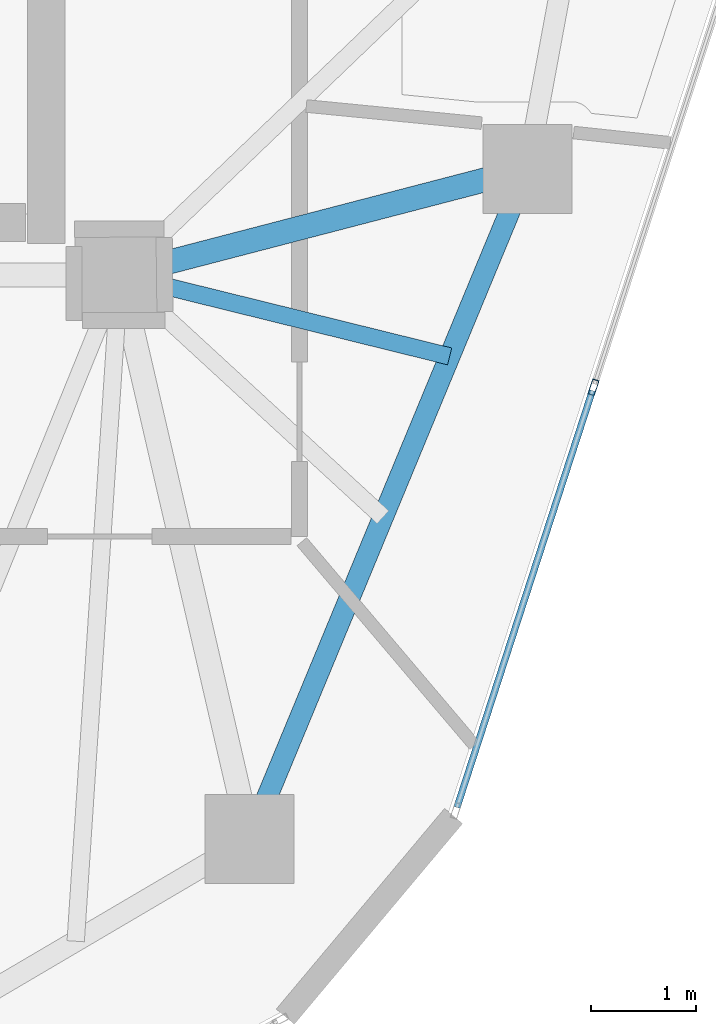
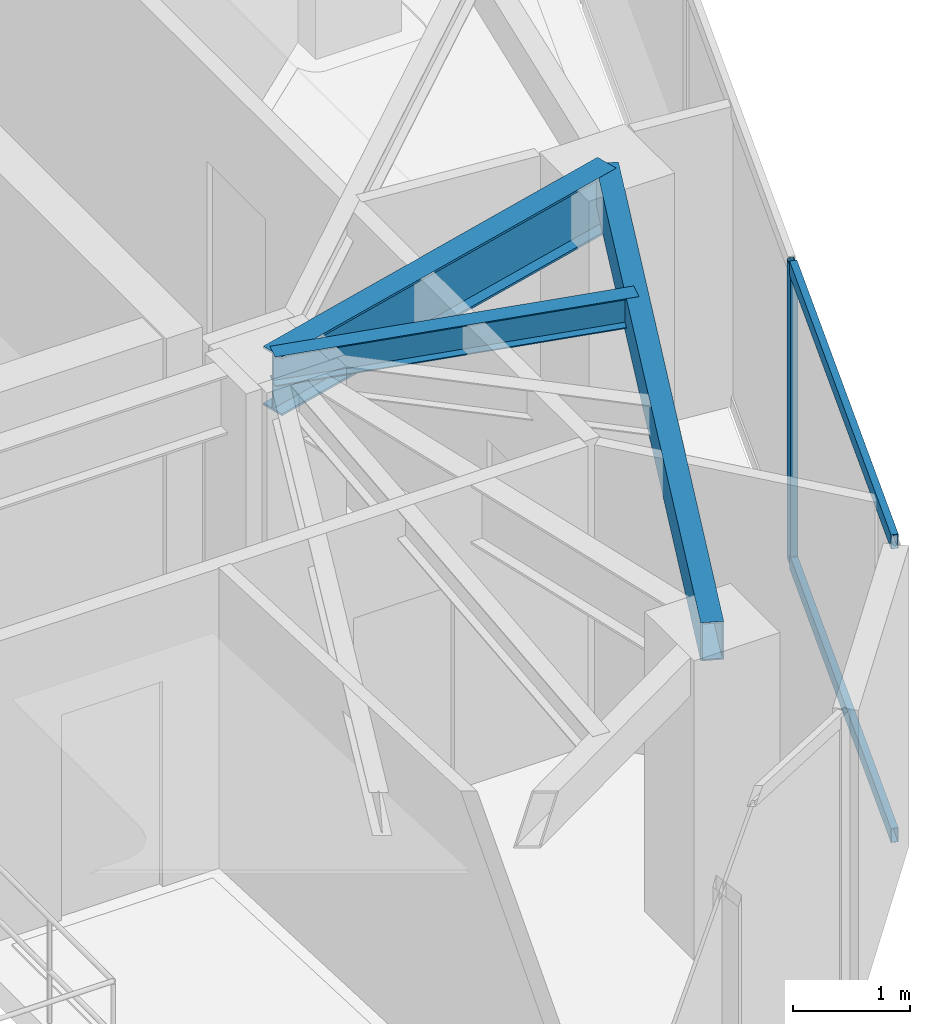
# One storey, part 7 of 20: 3 beams, 3 members, 1 element without a shape of its own.
"""IFC4 building model written with IfcOpenShell, lengths in metres."""

from ifc_helpers import new_model, si_unit, direction, frame, origin, origin_2d, place, context, subcontext, project, spatial, hollow_rectangle, i_section, extrude, source, transform, mapped, material, layer, layer_set, material_profile, profile_set, type_object, type_shapes, element, aggregate, save


model = new_model("IFC4")

# Units and contexts
model_context = context("Model", 3, precision=1e-05, world=origin(), true_north=direction((0.0, 1.0)))
body_context = subcontext(model_context, "Body", "Model", "MODEL_VIEW")
ifc_project = project(units=[si_unit("LENGTHUNIT", "METRE"), si_unit("AREAUNIT", "SQUARE_METRE"), si_unit("VOLUMEUNIT", "CUBIC_METRE"), si_unit("PLANEANGLEUNIT", "RADIAN"), si_unit("MASSUNIT", "GRAM", prefix="KILO")], contexts=[model_context])

# Site, building, storey
site_placement = place(None, origin())
site = spatial("IfcSite", under=ifc_project, at=site_placement, CompositionType="ELEMENT")
building_placement = place(site_placement, origin())
building = spatial("IfcBuilding", under=site, at=building_placement, Name="Talar Marvaseh", CompositionType="ELEMENT")
storey_placement = place(building_placement, frame((0.0, 0.0, 261.199951171875)))
storey = spatial("IfcBuildingStorey", under=building, at=storey_placement, Name="L69", CompositionType="ELEMENT", Elevation=261.199951171875)

# Beams
ifc_material_1 = material(Name="Steel S355", Category="steel")
ifc_material_profile_1 = material_profile(ifc_material_1, hollow_rectangle(XDim=0.199951171875, YDim=0.39990234375, WallThickness=0.013916015625, at=origin_2d()), Name="RHS400x200x14")
ifc_profile_set_1 = profile_set([ifc_material_profile_1], Name="Steel S355")
beam_type_1 = type_object("IfcBeamType", Name="Zone 3 Perimeter Spandrel Beam RHS400x200x14", PredefinedType="SPANDREL", material=ifc_profile_set_1)
beam_1_placement = place(storey_placement, frame((37.197021484375, 26.513916015625, 2.93994140625), z_axis=(-0.382798740112, -0.923831762048, 0.0), x_axis=(0.923831762048, -0.382798740112, 0.0)))
element("IfcBeam", 1, at=beam_1_placement, inside=storey, type_object=beam_type_1, Name="L69 Zone 3 Perimeter Spandrel Beam RHS400x200x14", PredefinedType="SPANDREL", context=body_context, shape_type="SweptSolid", body=[
    extrude(hollow_rectangle(XDim=0.199951171875, YDim=0.39990234375, WallThickness=0.013916015625, at=origin_2d()), origin(), (0.0, 0.0, 1.0), 6.9306640625),
])
ifc_material_profile_2 = material_profile(ifc_material_1, i_section(OverallWidth=0.166015625, OverallDepth=0.31298828125, WebThickness=0.006591796875, FlangeThickness=0.01123046875, at=origin_2d()), Name="W310x45")
ifc_profile_set_2 = profile_set([ifc_material_profile_2], Name="Steel S355")
beam_type_2 = type_object("IfcBeamType", Name="Zone 3 Secondary Floor Joist W310x45", PredefinedType="JOIST", material=ifc_profile_set_2)
beam_2_placement = place(storey_placement, frame((36.4541015625, 24.72119140625, 2.983642578125), z_axis=(-0.970841284349, 0.239723174942, 0.0), x_axis=(-0.239723174942, -0.970841284349, 0.0)))
element("IfcBeam", 2, at=beam_2_placement, inside=storey, type_object=beam_type_2, Name="L69 Zone 3 Secondary Floor Joist W310x45", PredefinedType="JOIST", context=body_context, shape_type="SweptSolid", body=[
    extrude(i_section(OverallWidth=0.166015625, OverallDepth=0.31298828125, WebThickness=0.006591796875, FlangeThickness=0.01123046875, at=origin_2d()), origin(), (0.0, 0.0, 1.0), 3.248779296875),
])
ifc_material_profile_3 = material_profile(ifc_material_1, i_section(OverallWidth=0.22998046875, OverallDepth=0.616943359375, WebThickness=0.01318359375, FlangeThickness=0.022216796875, at=origin_2d()), Name="W610x140")
ifc_profile_set_3 = profile_set([ifc_material_profile_3], Name="Steel S355")
beam_type_3 = type_object("IfcBeamType", Name="Zone 4 Radial Floor Girder W610x140", PredefinedType="BEAM", material=ifc_profile_set_3)
beam_3_placement = place(storey_placement, frame((37.197021484375, 26.513916015625, 2.83154296875), z_axis=(-0.967779967746, -0.251797406719, 0.0), x_axis=(0.251797406719, -0.967779967746, 0.0)))
element("IfcBeam", 3, at=beam_3_placement, inside=storey, type_object=beam_type_3, Name="L69 Zone 4 Radial Floor Girder W610x140", PredefinedType="BEAM", context=body_context, shape_type="SweptSolid", body=[
    extrude(i_section(OverallWidth=0.22998046875, OverallDepth=0.616943359375, WebThickness=0.01318359375, FlangeThickness=0.022216796875, at=origin_2d()), origin(), (0.0, 0.0, 1.0), 4.026611328125),
])

# Curtain wall, members
ifc_material_2 = material(Name="Architectural Aluminium", Category="aluminium")
ifc_layer = layer(ifc_material_2, 0.179931640625)
ifc_layer_set = layer_set([ifc_layer], Name="Architectural Aluminium")
curtain_wall_type = type_object("IfcCurtainWallType", Name="Unitised High-Wind Sky Curtain Wall Z4", PredefinedType="NOTDEFINED", material=ifc_layer_set)
curtain_wall_placement = place(storey_placement, origin())
curtain_wall = element("IfcCurtainWall", 4, at=curtain_wall_placement, inside=storey, type_object=curtain_wall_type, Name="L69 Unitised High-Wind Sky Curtain Wall Z4", PredefinedType="NOTDEFINED")
ifc_material_profile_4 = material_profile(ifc_material_2, hollow_rectangle(XDim=0.06494140625, YDim=0.14990234375, WallThickness=0.00390625, at=origin_2d()), Name="RHS150x65x4")
ifc_profile_set_4 = profile_set([ifc_material_profile_4], Name="Architectural Aluminium")
member_type_1 = type_object("IfcMemberType", Name="Unitised Curtain Wall Slim Mullion RHS150x65x4", PredefinedType="MULLION", material=ifc_profile_set_4)
shared_shape_1 = source(origin(), body_context, "Body", "SweptSolid", [
    extrude(hollow_rectangle(XDim=0.06494140625, YDim=0.14990234375, WallThickness=0.00390625, at=origin_2d()), origin(), (0.0, 0.0, 1.0), 3.14013671875),
])
type_shapes(member_type_1, [shared_shape_1])
member_1_placement = place(storey_placement, frame((37.828857421875, 24.425537109375, 0.0), z_axis=(0.0, 0.0, 1.0), x_axis=(0.95100933406, -0.309162168659, 0.0)))
member_1 = element("IfcMember", 5, at=member_1_placement, type_object=member_type_1, Name="CW-Z4 mullion 4", PredefinedType="MULLION", context=body_context, shape_type="MappedRepresentation", body=[
    mapped(shared_shape_1, transform((0.0, 0.0, 0.0), x_axis=(1.0, 0.0, 0.0), y_axis=(0.0, 1.0, 0.0), z_axis=(0.0, 0.0, 1.0), scale=1.0)),
])
ifc_material_profile_5 = material_profile(ifc_material_2, hollow_rectangle(XDim=0.06494140625, YDim=0.14990234375, WallThickness=0.00390625, at=origin_2d()), Name="RHS150x65x4")
ifc_profile_set_5 = profile_set([ifc_material_profile_5], Name="Architectural Aluminium")
member_type_2 = type_object("IfcMemberType", Name="Unitised Curtain Wall Slim Transom RHS150x65x4", PredefinedType="USERDEFINED", material=ifc_profile_set_5)
shared_shape_2 = source(origin(), body_context, "Body", "SweptSolid", [
    extrude(hollow_rectangle(XDim=0.06494140625, YDim=0.14990234375, WallThickness=0.00390625, at=origin_2d()), origin(), (0.0, 0.0, 1.0), 4.1884765625),
])
type_shapes(member_type_2, [shared_shape_2])
member_2_placement = place(storey_placement, frame((37.818603515625, 24.39453125, 0.032470703125), z_axis=(-0.309154605792, -0.951011792628, 0.0), x_axis=(0.951011792628, -0.309154605792, 0.0)))
member_2 = element("IfcMember", 6, at=member_2_placement, type_object=member_type_2, Name="CW-Z4 transom 4.1", ObjectType="TRANSOM", PredefinedType="USERDEFINED", context=body_context, shape_type="MappedRepresentation", body=[
    mapped(shared_shape_2, transform((0.0, 0.0, 0.0), x_axis=(1.0, 0.0, 0.0), y_axis=(0.0, 1.0, 0.0), z_axis=(0.0, 0.0, 1.0), scale=1.0)),
])
member_3_placement = place(storey_placement, frame((37.818603515625, 24.39453125, 3.107666015625), z_axis=(-0.309154605792, -0.951011792628, 0.0), x_axis=(0.951011792628, -0.309154605792, 0.0)))
member_3 = element("IfcMember", 7, at=member_3_placement, type_object=member_type_2, Name="CW-Z4 transom 4.2", ObjectType="TRANSOM", PredefinedType="USERDEFINED", context=body_context, shape_type="MappedRepresentation", body=[
    mapped(shared_shape_2, transform((0.0, 0.0, 0.0), x_axis=(1.0, 0.0, 0.0), y_axis=(0.0, 1.0, 0.0), z_axis=(0.0, 0.0, 1.0), scale=1.0)),
])
aggregate(curtain_wall, [member_1, member_2, member_3])

save(model, "model.ifc")
